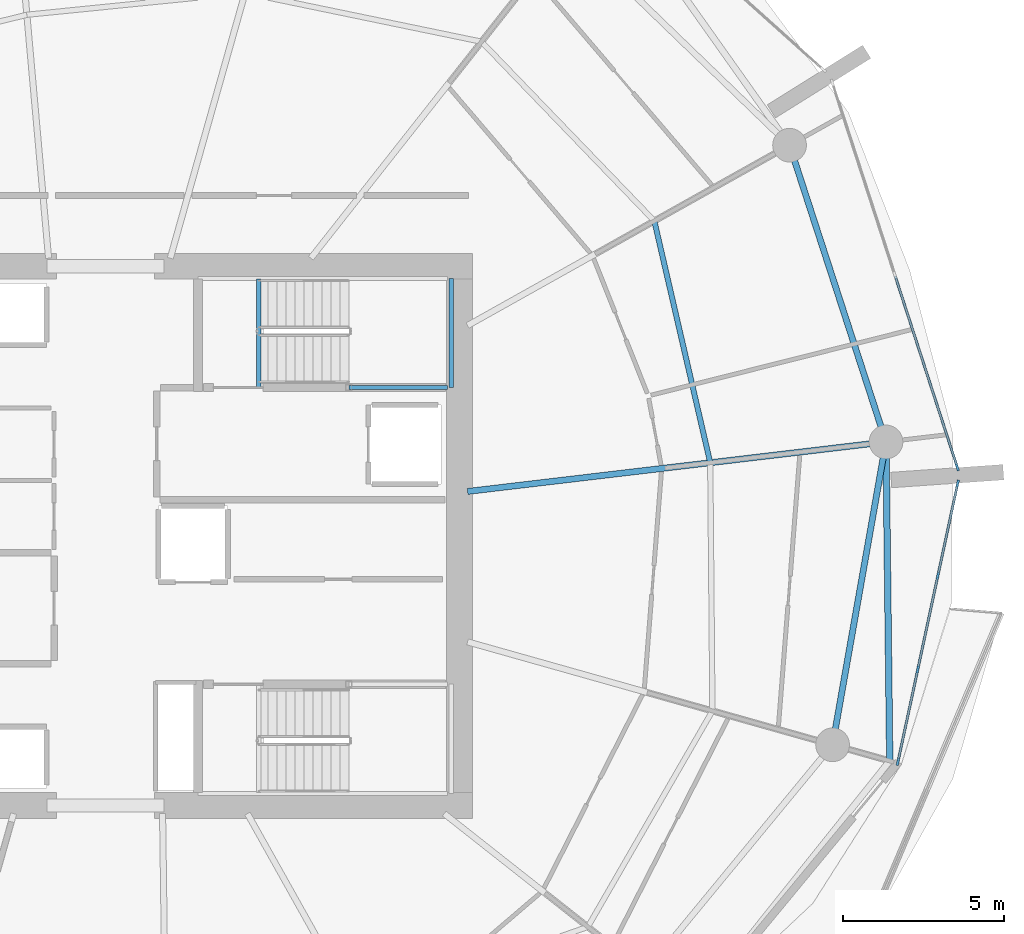
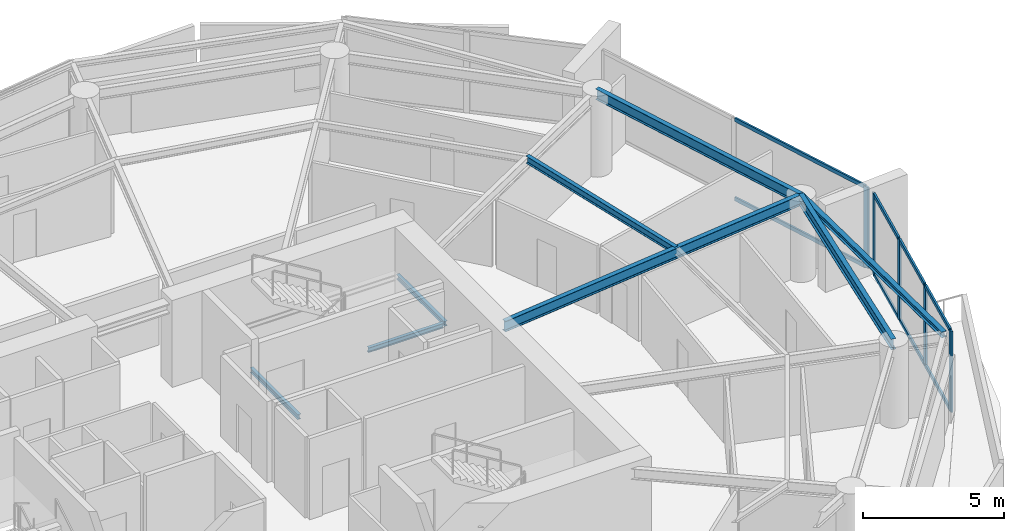
# One storey, part 7 of 20: 13 members, 8 beams, 2 elements without a shape of their own.
"""IFC4 building model written with IfcOpenShell, lengths in metres."""

import ifcopenshell
import ifcopenshell.guid

model = None  # the IFC model being written
_history = None  # IfcOwnerHistory: only IFC2X3 demands one
_inside = {}  # id of a spatial element -> (the spatial element, [elements in it])
_under = {}  # id of a project, library or spatial element -> (it, [spatial elements below it])
_declared = {}  # id of a project -> (the project, [libraries it declares])
_typed = {}  # id of a type object -> (the type object, [elements of that type])
_made_of = {}  # id of a material, layer set ... -> (it, [elements and type objects made of it])


def new_model(schema):
    """Start an empty IFC model of exactly this schema.

    Asked for "IFC4X3", IfcOpenShell would pick the latest addendum, in which some entities
    have other attributes; the version numbers below select the first issue.
    IFC2X3 requires an IfcOwnerHistory on every rooted entity: one is made here for all.
    """
    global model, _history
    if schema == "IFC4X3":
        model = ifcopenshell.file(schema_version=(4, 3, 0, 0))
    else:
        model = ifcopenshell.file(schema=schema)
    _inside.clear()
    _under.clear()
    _declared.clear()
    _typed.clear()
    _made_of.clear()
    _history = None
    if model.schema == "IFC2X3":
        org = make("IfcOrganization", Name="unknown")
        user = make(
            "IfcPersonAndOrganization",
            ThePerson=make("IfcPerson", FamilyName="unknown"),
            TheOrganization=org,
        )
        app = make(
            "IfcApplication",
            ApplicationDeveloper=org,
            Version="unknown",
            ApplicationFullName="unknown",
            ApplicationIdentifier="unknown",
        )
        _history = make(
            "IfcOwnerHistory",
            OwningUser=user,
            OwningApplication=app,
            ChangeAction="ADDED",
            CreationDate=0,
        )
    return model


def make(cls, **values):
    """One entity of the class cls with the attributes given. An attribute that is None is left unset."""
    return model.create_entity(
        cls, **{name: value for name, value in values.items() if value is not None}
    )


def rooted(cls, **values):
    """An entity with a GlobalId (a new one), such as an element, a storey or a relation."""
    return make(cls, GlobalId=ifcopenshell.guid.new(), OwnerHistory=_history, **values)


def si_unit(unit_type, name, prefix=None):
    """IfcSIUnit, for example si_unit("LENGTHUNIT", "METRE", prefix="MILLI")."""
    return make("IfcSIUnit", UnitType=unit_type, Prefix=prefix, Name=name)


def assignment(units):
    """IfcUnitAssignment: the units of a project."""
    return None if units is None else make("IfcUnitAssignment", Units=units)


def point(xyz):
    """IfcCartesianPoint."""
    return None if xyz is None else make("IfcCartesianPoint", Coordinates=xyz)


def direction(xyz):
    """IfcDirection."""
    return None if xyz is None else make("IfcDirection", DirectionRatios=xyz)


def frame(location, z_axis=None, x_axis=None):
    """IfcAxis2Placement3D, a coordinate frame: its origin and axes. An axis left out is left unset."""
    return make(
        "IfcAxis2Placement3D",
        Location=point(location),
        Axis=direction(z_axis),
        RefDirection=direction(x_axis),
    )


def frame_2d(location, x_axis=None):
    """IfcAxis2Placement2D, a coordinate frame in the plane: its origin and x axis."""
    return make(
        "IfcAxis2Placement2D", Location=point(location), RefDirection=direction(x_axis)
    )


def origin():
    """The frame at (0, 0, 0) with its axes left unset."""
    return frame((0.0, 0.0, 0.0))


def origin_2d():
    """The frame at (0, 0) in the plane with its x axis left unset."""
    return frame_2d((0.0, 0.0))


def place(relative_to, where):
    """IfcLocalPlacement: puts the frame where relative to a parent placement (None: the world)."""
    return make(
        "IfcLocalPlacement", PlacementRelTo=relative_to, RelativePlacement=where
    )


def context(
    kind, dimensions, precision=None, world=None, true_north=None, identifier=None
):
    """IfcGeometricRepresentationContext, for example the 3D "Model" context."""
    return make(
        "IfcGeometricRepresentationContext",
        ContextIdentifier=identifier,
        ContextType=kind,
        CoordinateSpaceDimension=dimensions,
        Precision=precision,
        WorldCoordinateSystem=world,
        TrueNorth=true_north,
    )


def subcontext(parent, identifier, kind, view, scale=None):
    """IfcGeometricRepresentationSubContext, for example "Body" below "Model"."""
    return make(
        "IfcGeometricRepresentationSubContext",
        ContextIdentifier=identifier,
        ContextType=kind,
        ParentContext=parent,
        TargetScale=scale,
        TargetView=view,
    )


def project(units=None, contexts=None):
    """IfcProject with its units and contexts."""
    return rooted(
        "IfcProject",
        Name="project",
        RepresentationContexts=contexts,
        UnitsInContext=assignment(units),
    )


def spatial(cls, under=None, at=None, **own):
    """A site, building, storey or space (cls), placed at a placement, below another one or the project."""
    s = rooted(cls, ObjectPlacement=at, **own)
    if under is not None:
        _under.setdefault(under.id(), (under, []))[1].append(s)
    return s


def profile(cls, at=None, kind="AREA", **sizes):
    """A parametric profile (cls). Its sizes go by their IFC names, for example OverallWidth=200.0."""
    return make(cls, ProfileType=kind, Position=at, **sizes)


def rectangle(**sizes):
    """IfcRectangleProfileDef."""
    return profile("IfcRectangleProfileDef", **sizes)


def i_section(**sizes):
    """IfcIShapeProfileDef."""
    return profile("IfcIShapeProfileDef", **sizes)


def extrude(swept, where, along, depth):
    """IfcExtrudedAreaSolid: the profile swept, set in the frame where, extruded along a direction by depth."""
    return make(
        "IfcExtrudedAreaSolid",
        SweptArea=swept,
        Position=where,
        ExtrudedDirection=direction(along),
        Depth=depth,
    )


def shape(context_of_items, identifier, shape_type, items):
    """IfcShapeRepresentation: the items that make up one representation, for example the "Body"."""
    return make(
        "IfcShapeRepresentation",
        ContextOfItems=context_of_items,
        RepresentationIdentifier=identifier,
        RepresentationType=shape_type,
        Items=items,
    )


def material(Name=None, Category=None):
    """IfcMaterial."""
    return make("IfcMaterial", Name=Name, Category=Category)


def layer(
    of_material, thickness, ventilated=None, Name=None, Category=None, Priority=None
):
    """IfcMaterialLayer: one layer of a wall or slab, of a material (None: an air gap)."""
    return make(
        "IfcMaterialLayer",
        Material=of_material,
        LayerThickness=thickness,
        IsVentilated=ventilated,
        Name=Name,
        Category=Category,
        Priority=Priority,
    )


def layer_set(layers, Name=None):
    """IfcMaterialLayerSet."""
    return make("IfcMaterialLayerSet", MaterialLayers=layers, LayerSetName=Name)


def material_profile(
    of_material, cross_section, Name=None, Category=None, Priority=None
):
    """IfcMaterialProfile: a cross section and its material."""
    return make(
        "IfcMaterialProfile",
        Name=Name,
        Material=of_material,
        Profile=cross_section,
        Priority=Priority,
        Category=Category,
    )


def profile_set(profiles, Name=None, composite=None):
    """IfcMaterialProfileSet."""
    return make(
        "IfcMaterialProfileSet",
        Name=Name,
        MaterialProfiles=profiles,
        CompositeProfile=composite,
    )


def made_of(thing, what):
    """Note that an element or type object is made of a material, layer set ...; save() writes the relation."""
    if what is not None:
        _made_of.setdefault(what.id(), (what, []))[1].append(thing)
    return thing


def type_object(cls, material=None, **own):
    """A type object (cls), such as IfcWallType, which elements share."""
    return made_of(rooted(cls, **own), material)


def element(
    cls,
    number,
    at=None,
    inside=None,
    cuts=None,
    type_object=None,
    material=None,
    context=None,
    identifier="Body",
    shape_type=None,
    held_by="IfcProductDefinitionShape",
    body=None,
    shapes=None,
    **own,
):
    """One element of the class cls, such as IfcWall. Its Tag is "e" and its number.

    at: its placement. inside: the storey or other place that contains it. cuts: it is an
    opening in that element (IfcRelVoidsElement). A single representation is given by context,
    identifier, shape_type and body (its items); several are given by shapes. held_by: the class
    of the entity that holds the representations. save() writes the other relations.
    """
    e = rooted(cls, Tag="e%d" % number, ObjectPlacement=at, **own)
    if body is not None:
        shapes = [shape(context, identifier, shape_type, body)]
    if shapes is not None:
        e.Representation = make(held_by, Representations=shapes)
    if inside is not None:
        _inside.setdefault(inside.id(), (inside, []))[1].append(e)
    if cuts is not None:
        rooted(
            "IfcRelVoidsElement", RelatingBuildingElement=cuts, RelatedOpeningElement=e
        )
    if type_object is not None:
        _typed.setdefault(type_object.id(), (type_object, []))[1].append(e)
    return made_of(e, material)


def aggregate(whole, parts):
    """IfcRelAggregates: a whole, such as a stair, and the parts it consists of."""
    return rooted("IfcRelAggregates", RelatingObject=whole, RelatedObjects=parts)


def save(model, path):
    """Write the relations noted so far, then the file.

    IfcRelAggregates (storeys below a building ...), IfcRelContainedInSpatialStructure (elements
    in a storey), IfcRelDefinesByType, IfcRelAssociatesMaterial and IfcRelDeclares: one each for
    every whole, place, type object, material and project.
    """
    for whole, parts in _under.values():
        aggregate(whole, parts)
    for where, things in _inside.values():
        rooted(
            "IfcRelContainedInSpatialStructure",
            RelatedElements=things,
            RelatingStructure=where,
        )
    for kind, things in _typed.values():
        rooted("IfcRelDefinesByType", RelatedObjects=things, RelatingType=kind)
    for what, things in _made_of.values():
        rooted("IfcRelAssociatesMaterial", RelatedObjects=things, RelatingMaterial=what)
    for by, libraries in _declared.values():
        rooted("IfcRelDeclares", RelatingContext=by, RelatedDefinitions=libraries)
    model.write(path)


model = new_model("IFC4")

# Units and contexts
model_context = context("Model", 3, precision=1e-05, world=origin(), true_north=direction((0.0, 1.0)))
body_context = subcontext(model_context, "Body", "Model", "MODEL_VIEW")
ifc_project = project(units=[si_unit("LENGTHUNIT", "METRE"), si_unit("AREAUNIT", "SQUARE_METRE"), si_unit("VOLUMEUNIT", "CUBIC_METRE"), si_unit("PLANEANGLEUNIT", "RADIAN"), si_unit("MASSUNIT", "GRAM", prefix="KILO")], contexts=[model_context])

# Site, building, storey
site_placement = place(None, origin())
site = spatial("IfcSite", under=ifc_project, at=site_placement, CompositionType="ELEMENT")
building_placement = place(site_placement, origin())
building = spatial("IfcBuilding", under=site, at=building_placement, Name="Kazma Halo Residences", CompositionType="ELEMENT")
storey_placement = place(building_placement, frame((0.0, 0.0, 165.300048828125)))
storey = spatial("IfcBuildingStorey", under=building, at=storey_placement, Name="L41", CompositionType="ELEMENT", Elevation=165.300048828125)

# Beams
ifc_material_1 = material(Name="Steel S355", Category="steel")
ifc_material_profile_1 = material_profile(ifc_material_1, i_section(OverallWidth=0.201904296875, OverallDepth=0.2470703125, WebThickness=0.00732421875, FlangeThickness=0.010986328125, FilletRadius=0.011962890625, at=origin_2d()), Name="W250x49.1")
ifc_profile_set_1 = profile_set([ifc_material_profile_1], Name="Steel S355")
beam_type_1 = type_object("IfcBeamType", Name="BM-BAL-CANT", PredefinedType="BEAM", material=ifc_profile_set_1)
beam_1_placement = place(storey_placement, frame((72.850341796875, 34.991455078125, 3.37646484375), z_axis=(-0.011793371143, 0.99993045578, 0.0), x_axis=(-0.99993045578, -0.011793371143, 0.0)))
element("IfcBeam", 1, at=beam_1_placement, inside=storey, type_object=beam_type_1, Name="L41 wave-balcony tie beam 15", PredefinedType="BEAM", context=body_context, shape_type="SweptSolid", body=[
    extrude(i_section(OverallWidth=0.201904296875, OverallDepth=0.2470703125, WebThickness=0.00732421875, FlangeThickness=0.010986328125, FilletRadius=0.011962890625, at=origin_2d()), origin(), (0.0, 0.0, 1.0), 9.936767578125),
])
ifc_material_profile_2 = material_profile(ifc_material_1, i_section(OverallWidth=0.18994140625, OverallDepth=0.45703125, WebThickness=0.009033203125, FlangeThickness=0.014404296875, FilletRadius=0.01611328125, at=origin_2d()), Name="W460x74")
ifc_profile_set_2 = profile_set([ifc_material_profile_2], Name="Steel S355")
beam_type_2 = type_object("IfcBeamType", Name="BM-RAD-W460", PredefinedType="BEAM", material=ifc_profile_set_2)
beam_2_placement = place(storey_placement, frame((59.699951171875, 43.384765625, 3.271484375), z_axis=(0.993067181848, 0.117548170278, 0.0), x_axis=(-0.117548170278, 0.993067181848, 0.0)))
element("IfcBeam", 2, at=beam_2_placement, inside=storey, type_object=beam_type_2, Name="L41 radial floor beam 16", PredefinedType="BEAM", context=body_context, shape_type="SweptSolid", body=[
    extrude(i_section(OverallWidth=0.18994140625, OverallDepth=0.45703125, WebThickness=0.009033203125, FlangeThickness=0.014404296875, FilletRadius=0.01611328125, at=origin_2d()), origin(), (0.0, 0.0, 1.0), 13.124267578125),
])
ifc_material_profile_3 = material_profile(ifc_material_1, i_section(OverallWidth=0.1650390625, OverallDepth=0.31005859375, WebThickness=0.005859375, FlangeThickness=0.009765625, FilletRadius=0.011962890625, at=origin_2d()), Name="W310x38.7")
ifc_profile_set_3 = profile_set([ifc_material_profile_3], Name="Steel S355")
beam_type_3 = type_object("IfcBeamType", Name="BM-SEC-W310B", PredefinedType="JOIST", material=ifc_profile_set_3)
beam_3_placement = place(storey_placement, frame((67.25927734375, 44.279541015625, 3.344970703125), z_axis=(-0.225330067077, 0.97428248515, 0.0), x_axis=(-0.97428248515, -0.225330067077, 0.0)))
element("IfcBeam", 3, at=beam_3_placement, inside=storey, type_object=beam_type_3, Name="L41 circumferential floor joist 16", PredefinedType="JOIST", context=body_context, shape_type="SweptSolid", body=[
    extrude(i_section(OverallWidth=0.1650390625, OverallDepth=0.31005859375, WebThickness=0.005859375, FlangeThickness=0.009765625, FilletRadius=0.011962890625, at=origin_2d()), origin(), (0.0, 0.0, 1.0), 7.7294921875),
])
ifc_material_profile_4 = material_profile(ifc_material_1, i_section(OverallWidth=0.18994140625, OverallDepth=0.45703125, WebThickness=0.009033203125, FlangeThickness=0.014404296875, FilletRadius=0.01611328125, at=origin_2d()), Name="W460x74")
ifc_profile_set_4 = profile_set([ifc_material_profile_4], Name="Steel S355")
beam_type_4 = type_object("IfcBeamType", Name="BM-SPN-W460", PredefinedType="BEAM", material=ifc_profile_set_4)
beam_4_placement = place(storey_placement, frame((71.06982421875, 35.49365234375, 3.271484375), z_axis=(0.173637033425, 0.984809717978, 0.0), x_axis=(-0.984809717978, 0.173637033425, 0.0)))
element("IfcBeam", 4, at=beam_4_placement, inside=storey, type_object=beam_type_4, Name="L41 perimeter ring beam 15", PredefinedType="BEAM", context=body_context, shape_type="SweptSolid", body=[
    extrude(i_section(OverallWidth=0.18994140625, OverallDepth=0.45703125, WebThickness=0.009033203125, FlangeThickness=0.014404296875, FilletRadius=0.01611328125, at=origin_2d()), origin(), (0.0, 0.0, 1.0), 9.579345703125),
])
beam_5_placement = place(storey_placement, frame((72.733154296875, 44.927490234375, 3.271484375), z_axis=(-0.309020741629, 0.95105529873, 0.0), x_axis=(-0.95105529873, -0.309020741629, 0.0)))
element("IfcBeam", 5, at=beam_5_placement, inside=storey, type_object=beam_type_4, Name="L41 perimeter ring beam 16", PredefinedType="BEAM", context=body_context, shape_type="SweptSolid", body=[
    extrude(i_section(OverallWidth=0.18994140625, OverallDepth=0.45703125, WebThickness=0.009033203125, FlangeThickness=0.014404296875, FilletRadius=0.01611328125, at=origin_2d()), origin(), (0.0, 0.0, 1.0), 9.717529296875),
])
ifc_material_profile_5 = material_profile(ifc_material_1, i_section(OverallWidth=0.133056640625, OverallDepth=0.20703125, WebThickness=0.005859375, FlangeThickness=0.00830078125, FilletRadius=0.010009765625, at=origin_2d()), Name="W200x26.6")
ifc_profile_set_5 = profile_set([ifc_material_profile_5], Name="Steel S355")
beam_type_5 = type_object("IfcBeamType", Name="BM-TRIM-W200", PredefinedType="BEAM", material=ifc_profile_set_5)
beam_6_placement = place(storey_placement, frame((53.199951171875, 46.6201171875, -0.360107421875), z_axis=(0.0, 1.0, 0.0), x_axis=(-1.0, 0.0, 0.0)))
element("IfcBeam", 6, at=beam_6_placement, inside=storey, type_object=beam_type_5, Name="L41 ST-02 floor landing support beam", PredefinedType="BEAM", context=body_context, shape_type="SweptSolid", body=[
    extrude(i_section(OverallWidth=0.133056640625, OverallDepth=0.20703125, WebThickness=0.005859375, FlangeThickness=0.00830078125, FilletRadius=0.010009765625, at=origin_2d()), origin(), (0.0, 0.0, 1.0), 3.3798828125),
])
beam_7_placement = place(storey_placement, frame((56.0, 46.6201171875, 1.570068359375), z_axis=(1.0, 0.0, 0.0), x_axis=(0.0, 1.0, 0.0)))
element("IfcBeam", 7, at=beam_7_placement, inside=storey, type_object=beam_type_5, Name="L41 ST-02 landing south wall ledger", PredefinedType="BEAM", context=body_context, shape_type="SweptSolid", body=[
    extrude(i_section(OverallWidth=0.133056640625, OverallDepth=0.20703125, WebThickness=0.005859375, FlangeThickness=0.00830078125, FilletRadius=0.010009765625, at=origin_2d()), origin(), (0.0, 0.0, 1.0), 3.070068359375),
])
beam_8_placement = place(storey_placement, frame((59.18994140625, 46.6201171875, 1.570068359375), z_axis=(0.0, 1.0, 0.0), x_axis=(-1.0, 0.0, 0.0)))
element("IfcBeam", 8, at=beam_8_placement, inside=storey, type_object=beam_type_5, Name="L41 ST-02 landing end wall ledger", PredefinedType="BEAM", context=body_context, shape_type="SweptSolid", body=[
    extrude(i_section(OverallWidth=0.133056640625, OverallDepth=0.20703125, WebThickness=0.005859375, FlangeThickness=0.00830078125, FilletRadius=0.010009765625, at=origin_2d()), origin(), (0.0, 0.0, 1.0), 3.39990234375),
])

# Curtain wall, members
ifc_material_2 = material(Name="Aluminium AW-6063 T6 and Triple-Silver Low-E Glass", Category="aluminium")
ifc_layer = layer(ifc_material_2, 0.219970703125)
ifc_layer_set = layer_set([ifc_layer], Name="Aluminium AW-6063 T6 and Triple-Silver Low-E Glass")
curtain_wall_type = type_object("IfcCurtainWallType", Name="CW-SYS-4", PredefinedType="NOTDEFINED", material=ifc_layer_set)
curtain_wall_1_placement = place(storey_placement, origin())
curtain_wall_1 = element("IfcCurtainWall", 9, at=curtain_wall_1_placement, inside=storey, type_object=curtain_wall_type, Name="L41 unitised curtain wall B15", PredefinedType="NOTDEFINED")
ifc_material_3 = material(Name="Aluminium AW-6063 T6", Category="aluminium")
ifc_material_profile_6 = material_profile(ifc_material_3, rectangle(XDim=0.074951171875, YDim=0.219970703125, at=origin_2d()), Name="CWM-75x220")
ifc_profile_set_6 = profile_set([ifc_material_profile_6], Name="Aluminium AW-6063 T6")
member_type_1 = type_object("IfcMemberType", Name="CW-SYS-4-MUL", PredefinedType="MULLION", material=ifc_profile_set_6)
member_1_placement = place(storey_placement, frame((73.105224609375, 34.95849609375, 0.0), z_axis=(0.0, 0.0, 1.0), x_axis=(-0.977764957684, 0.209703809037, 0.0)))
member_1 = element("IfcMember", 10, at=member_1_placement, type_object=member_type_1, Name="CWS-4 mullion 1", PredefinedType="MULLION", context=body_context, shape_type="SweptSolid", body=[
    extrude(rectangle(XDim=0.074951171875, YDim=0.219970703125, at=origin_2d()), origin(), (0.0, 0.0, 1.0), 3.5),
])
member_2_placement = place(storey_placement, frame((73.72314453125, 37.839111328125, 0.0), z_axis=(0.0, 0.0, 1.0), x_axis=(-0.977764957684, 0.209703809037, 0.0)))
member_2 = element("IfcMember", 11, at=member_2_placement, type_object=member_type_1, Name="CWS-4 mullion 2", PredefinedType="MULLION", context=body_context, shape_type="SweptSolid", body=[
    extrude(rectangle(XDim=0.074951171875, YDim=0.219970703125, at=origin_2d()), origin(), (0.0, 0.0, 1.0), 3.5),
])
member_3_placement = place(storey_placement, frame((74.3486328125, 40.75634765625, 0.0), z_axis=(0.0, 0.0, 1.0), x_axis=(-0.977764957684, 0.209703809037, 0.0)))
member_3 = element("IfcMember", 12, at=member_3_placement, type_object=member_type_1, Name="CWS-4 mullion 3", PredefinedType="MULLION", context=body_context, shape_type="SweptSolid", body=[
    extrude(rectangle(XDim=0.074951171875, YDim=0.219970703125, at=origin_2d()), origin(), (0.0, 0.0, 1.0), 3.5),
])
member_4_placement = place(storey_placement, frame((74.966552734375, 43.63671875, 0.0), z_axis=(0.0, 0.0, 1.0), x_axis=(-0.977764957684, 0.209703809037, 0.0)))
member_4 = element("IfcMember", 13, at=member_4_placement, type_object=member_type_1, Name="CWS-4 mullion 4", PredefinedType="MULLION", context=body_context, shape_type="SweptSolid", body=[
    extrude(rectangle(XDim=0.074951171875, YDim=0.219970703125, at=origin_2d()), origin(), (0.0, 0.0, 1.0), 3.5),
])

# Curtain wall, member
curtain_wall_2_placement = place(storey_placement, origin())
curtain_wall_2 = element("IfcCurtainWall", 14, at=curtain_wall_2_placement, inside=storey, type_object=curtain_wall_type, Name="L41 unitised curtain wall B16", PredefinedType="NOTDEFINED")
member_5_placement = place(storey_placement, frame((74.955810546875, 44.13427734375, 0.0), z_axis=(0.0, 0.0, 1.0), x_axis=(-0.951057547609, -0.3090138203, 0.0)))
member_5 = element("IfcMember", 15, at=member_5_placement, type_object=member_type_1, Name="CWS-4 mullion 1", PredefinedType="MULLION", context=body_context, shape_type="SweptSolid", body=[
    extrude(rectangle(XDim=0.074951171875, YDim=0.219970703125, at=origin_2d()), origin(), (0.0, 0.0, 1.0), 3.5),
])

# Member
ifc_material_profile_7 = material_profile(ifc_material_3, rectangle(XDim=0.074951171875, YDim=0.1650390625, at=origin_2d()), Name="CWT-75x165")
ifc_profile_set_7 = profile_set([ifc_material_profile_7], Name="Aluminium AW-6063 T6")
member_type_2 = type_object("IfcMemberType", Name="CW-SYS-4-TRN", PredefinedType="USERDEFINED", material=ifc_profile_set_7)
member_6_placement = place(storey_placement, frame((73.113037109375, 34.9951171875, 0.037353515625), z_axis=(0.209703309269, 0.977765064871, 0.0), x_axis=(-0.977765064871, 0.209703309269, 0.0)))
member_6 = element("IfcMember", 16, at=member_6_placement, type_object=member_type_2, Name="CWS-4 transom 1.1", ObjectType="TRANSOM", PredefinedType="USERDEFINED", context=body_context, shape_type="SweptSolid", body=[
    extrude(rectangle(XDim=0.074951171875, YDim=0.1650390625, at=origin_2d()), origin(), (0.0, 0.0, 1.0), 2.870849609375),
])

member_7_placement = place(storey_placement, frame((73.113037109375, 34.9951171875, 3.46240234375), z_axis=(0.209703309269, 0.977765064871, 0.0), x_axis=(-0.977765064871, 0.209703309269, 0.0)))
member_7 = element("IfcMember", 17, at=member_7_placement, type_object=member_type_2, Name="CWS-4 transom 1.2", ObjectType="TRANSOM", PredefinedType="USERDEFINED", context=body_context, shape_type="SweptSolid", body=[
    extrude(rectangle(XDim=0.074951171875, YDim=0.1650390625, at=origin_2d()), origin(), (0.0, 0.0, 1.0), 2.870849609375),
])

member_8_placement = place(storey_placement, frame((73.73095703125, 37.875732421875, 0.037353515625), z_axis=(0.209689601293, 0.977768004748, 0.0), x_axis=(-0.977768004748, 0.209689601293, 0.0)))
member_8 = element("IfcMember", 18, at=member_8_placement, type_object=member_type_2, Name="CWS-4 transom 2.1", ObjectType="TRANSOM", PredefinedType="USERDEFINED", context=body_context, shape_type="SweptSolid", body=[
    extrude(rectangle(XDim=0.074951171875, YDim=0.1650390625, at=origin_2d()), origin(), (0.0, 0.0, 1.0), 2.908447265625),
])

member_9_placement = place(storey_placement, frame((73.73095703125, 37.875732421875, 3.46240234375), z_axis=(0.209689601293, 0.977768004748, 0.0), x_axis=(-0.977768004748, 0.209689601293, 0.0)))
member_9 = element("IfcMember", 19, at=member_9_placement, type_object=member_type_2, Name="CWS-4 transom 2.2", ObjectType="TRANSOM", PredefinedType="USERDEFINED", context=body_context, shape_type="SweptSolid", body=[
    extrude(rectangle(XDim=0.074951171875, YDim=0.1650390625, at=origin_2d()), origin(), (0.0, 0.0, 1.0), 2.908447265625),
])

member_10_placement = place(storey_placement, frame((74.356689453125, 40.79296875, 0.037353515625), z_axis=(0.209703309269, 0.977765064871, 0.0), x_axis=(-0.977765064871, 0.209703309269, 0.0)))
member_10 = element("IfcMember", 20, at=member_10_placement, type_object=member_type_2, Name="CWS-4 transom 3.1", ObjectType="TRANSOM", PredefinedType="USERDEFINED", context=body_context, shape_type="SweptSolid", body=[
    extrude(rectangle(XDim=0.074951171875, YDim=0.1650390625, at=origin_2d()), origin(), (0.0, 0.0, 1.0), 2.870849609375),
])

member_11_placement = place(storey_placement, frame((74.356689453125, 40.79296875, 3.46240234375), z_axis=(0.209703309269, 0.977765064871, 0.0), x_axis=(-0.977765064871, 0.209703309269, 0.0)))
member_11 = element("IfcMember", 21, at=member_11_placement, type_object=member_type_2, Name="CWS-4 transom 3.2", ObjectType="TRANSOM", PredefinedType="USERDEFINED", context=body_context, shape_type="SweptSolid", body=[
    extrude(rectangle(XDim=0.074951171875, YDim=0.1650390625, at=origin_2d()), origin(), (0.0, 0.0, 1.0), 2.870849609375),
])

aggregate(curtain_wall_1, [member_1, member_2, member_3, member_4, member_6, member_7, member_8, member_9, member_10, member_11])

member_12_placement = place(storey_placement, frame((74.9443359375, 44.169921875, 0.037353515625), z_axis=(-0.309006258762, 0.95106000444, 0.0), x_axis=(-0.95106000444, -0.309006258762, 0.0)))
member_12 = element("IfcMember", 22, at=member_12_placement, type_object=member_type_2, Name="CWS-4 transom 1.1", ObjectType="TRANSOM", PredefinedType="USERDEFINED", context=body_context, shape_type="SweptSolid", body=[
    extrude(rectangle(XDim=0.074951171875, YDim=0.1650390625, at=origin_2d()), origin(), (0.0, 0.0, 1.0), 6.22509765625),
])

member_13_placement = place(storey_placement, frame((74.9443359375, 44.169921875, 3.46240234375), z_axis=(-0.309006258762, 0.95106000444, 0.0), x_axis=(-0.95106000444, -0.309006258762, 0.0)))
member_13 = element("IfcMember", 23, at=member_13_placement, type_object=member_type_2, Name="CWS-4 transom 1.2", ObjectType="TRANSOM", PredefinedType="USERDEFINED", context=body_context, shape_type="SweptSolid", body=[
    extrude(rectangle(XDim=0.074951171875, YDim=0.1650390625, at=origin_2d()), origin(), (0.0, 0.0, 1.0), 6.22509765625),
])

aggregate(curtain_wall_2, [member_5, member_12, member_13])

save(model, "model.ifc")
